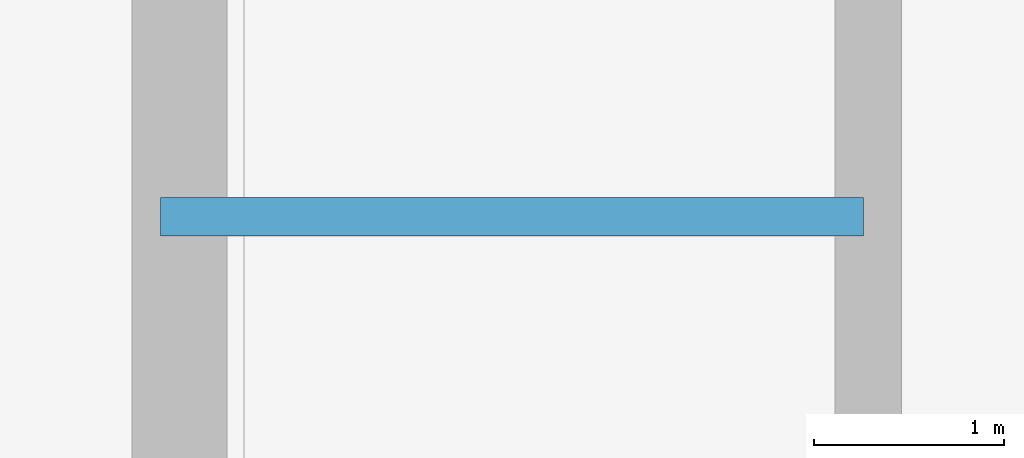
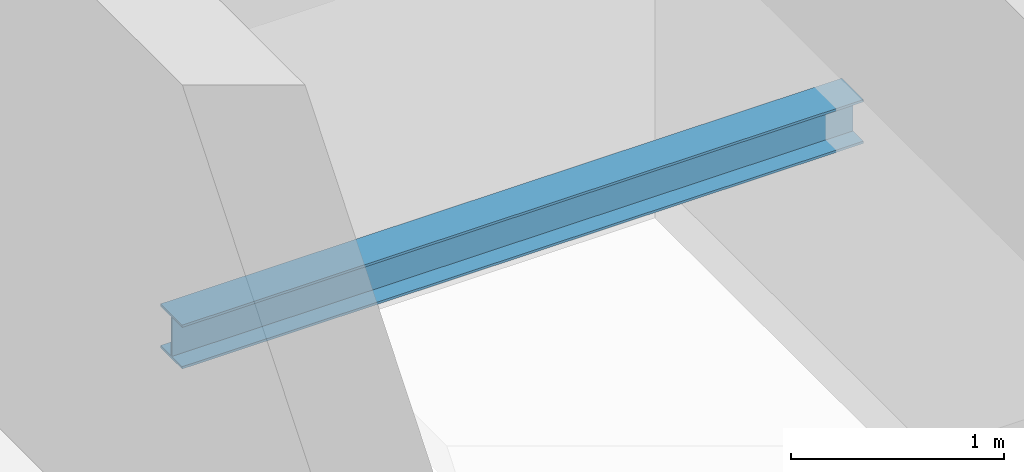
# One storey, part 13 of 32: 1 beam.
"""IFC4 building model written with IfcOpenShell, lengths in metres."""

from ifc_helpers import new_model, si_unit, direction, frame, origin, origin_2d, place, context, subcontext, project, spatial, i_section, extrude, material, material_profile, profile_set, type_object, element, save


model = new_model("IFC4")

# Units and contexts
model_context = context("Model", 3, precision=1e-05, world=origin(), true_north=direction((0.0, 1.0)))
body_context = subcontext(model_context, "Body", "Model", "MODEL_VIEW")
ifc_project = project(units=[si_unit("LENGTHUNIT", "METRE"), si_unit("AREAUNIT", "SQUARE_METRE"), si_unit("VOLUMEUNIT", "CUBIC_METRE"), si_unit("PLANEANGLEUNIT", "RADIAN"), si_unit("MASSUNIT", "GRAM", prefix="KILO")], contexts=[model_context])

# Site, building, storey
site_placement = place(None, origin())
site = spatial("IfcSite", under=ifc_project, at=site_placement, CompositionType="ELEMENT")
building_placement = place(site_placement, origin())
building = spatial("IfcBuilding", under=site, at=building_placement, Name="Veraguas Prism Commons", CompositionType="ELEMENT")
storey_placement = place(building_placement, frame((0.0, 0.0, 185.35009765625)))
storey = spatial("IfcBuildingStorey", under=building, at=storey_placement, Name="L52", CompositionType="ELEMENT", Elevation=185.35009765625)

# Beam
ifc_material = material(Name="Steel ASTM A992 Grade 50", Category="steel")
ifc_material_profile = material_profile(ifc_material, i_section(OverallWidth=0.202880859375, OverallDepth=0.251953125, WebThickness=0.008056640625, FlangeThickness=0.013427734375, at=origin_2d()), Name="W250X58")
ifc_profile_set = profile_set([ifc_material_profile], Name="Steel ASTM A992 Grade 50")
beam_type = type_object("IfcBeamType", Name="Structural Opening Lintel W250x58", PredefinedType="LINTEL", material=ifc_profile_set)
beam_placement = place(storey_placement, frame((17.25, 26.800048828125, 1.298828125), z_axis=(1.0, 0.0, 0.0), x_axis=(0.0, 1.0, 0.0)))
element("IfcBeam", 1, at=beam_placement, inside=storey, type_object=beam_type, Name="Stair ST-01 Half-Landing Support Beam L52-1", PredefinedType="LINTEL", context=body_context, shape_type="SweptSolid", body=[
    extrude(i_section(OverallWidth=0.202880859375, OverallDepth=0.251953125, WebThickness=0.008056640625, FlangeThickness=0.013427734375, at=origin_2d()), origin(), (0.0, 0.0, 1.0), 3.699951171875),
])

save(model, "model.ifc")
